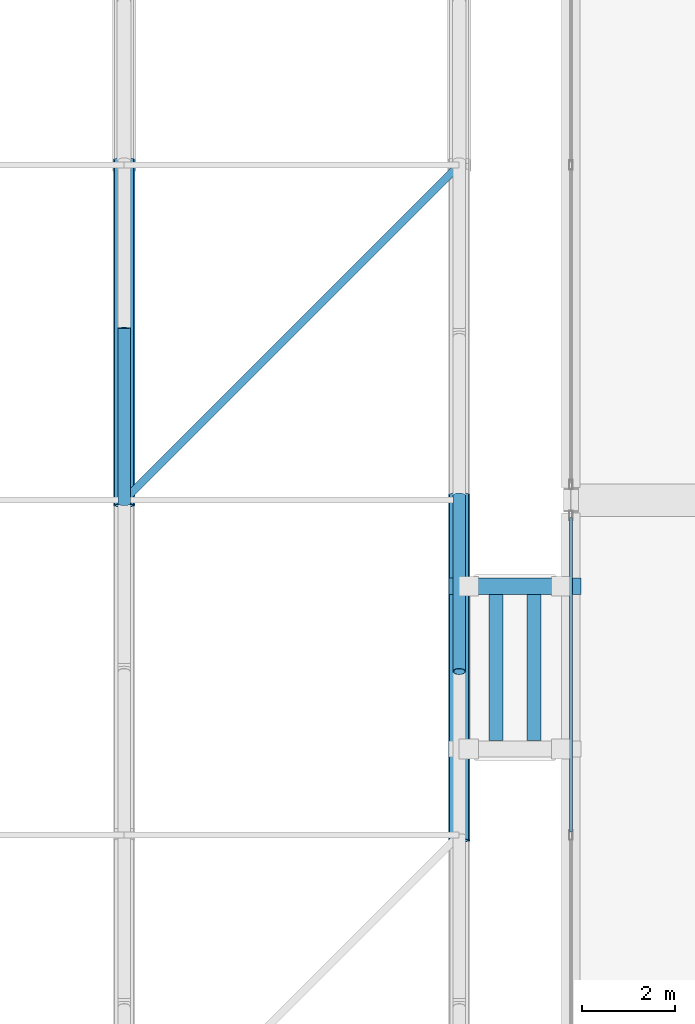
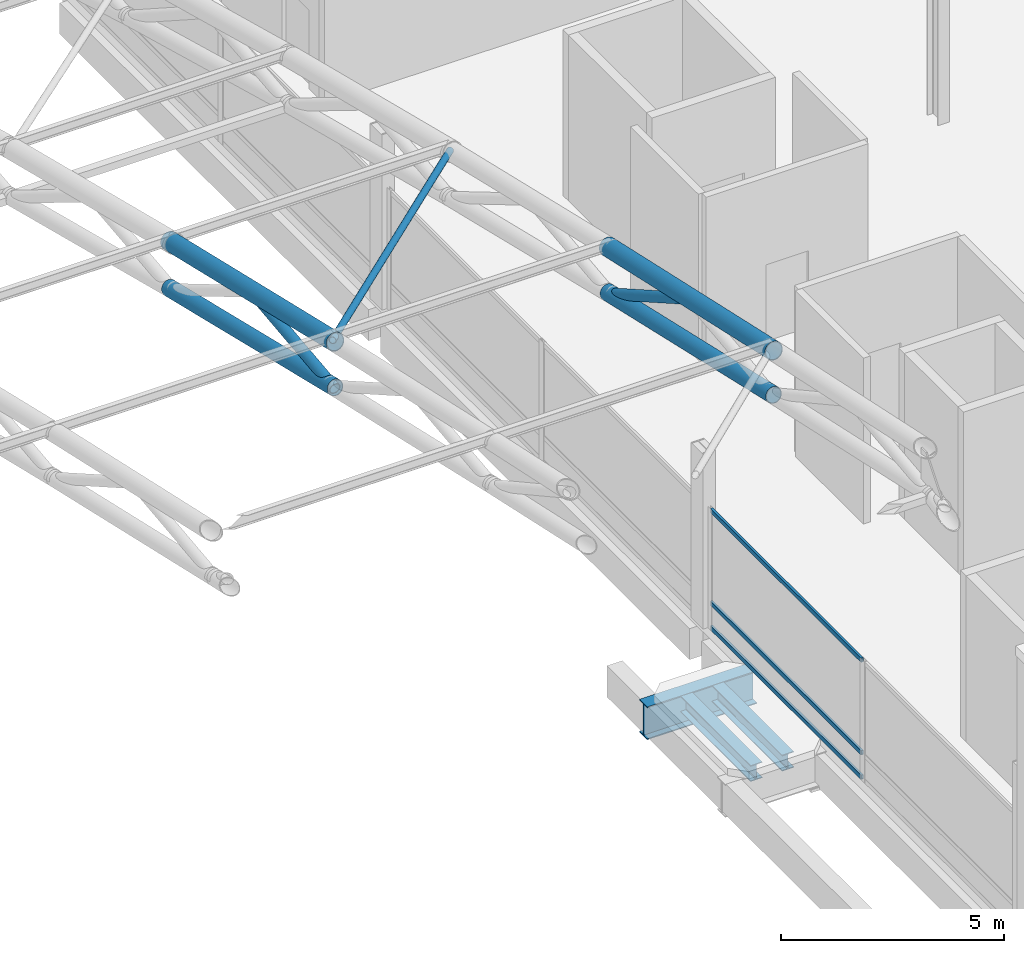
# One storey, part 54 of 193: 10 members, 3 beams, 1 element without a shape of its own.
"""IFC4 building model written with IfcOpenShell, lengths in metres."""

from ifc_helpers import new_model, si_unit, direction, frame, origin, origin_2d, place, context, subcontext, project, spatial, hollow_rectangle, hollow_circle, i_section, extrude, material, material_profile, profile_set, type_object, element, aggregate, save


model = new_model("IFC4")

# Units and contexts
model_context = context("Model", 3, precision=1e-05, world=origin(), true_north=direction((0.0, 1.0)))
body_context = subcontext(model_context, "Body", "Model", "MODEL_VIEW")
ifc_project = project(units=[si_unit("LENGTHUNIT", "METRE"), si_unit("AREAUNIT", "SQUARE_METRE"), si_unit("VOLUMEUNIT", "CUBIC_METRE"), si_unit("PLANEANGLEUNIT", "RADIAN"), si_unit("MASSUNIT", "GRAM", prefix="KILO")], contexts=[model_context])

# Site, building, storey
site_placement = place(None, origin())
site = spatial("IfcSite", under=ifc_project, at=site_placement, CompositionType="ELEMENT")
building_placement = place(site_placement, origin())
building = spatial("IfcBuilding", under=site, at=building_placement, Name="Cendralis Lancet Convention Centre", CompositionType="ELEMENT")
storey_placement = place(building_placement, frame((0.0, 0.0, 10.199951171875)))
storey = spatial("IfcBuildingStorey", under=building, at=storey_placement, Name="L02", CompositionType="ELEMENT", Elevation=10.199951171875)

# Curtain wall, members
ifc_material_1 = material(Name="Anodised bronze architectural aluminium", Category="aluminium")
curtain_wall_type = type_object("IfcCurtainWallType", Name="ARC-CW-BL01", PredefinedType="USERDEFINED", material=ifc_material_1)
curtain_wall_placement = place(storey_placement, origin())
curtain_wall = element("IfcCurtainWall", 1, at=curtain_wall_placement, inside=storey, type_object=curtain_wall_type, Name="L02 Curtain Wall CW-BL1 #157", ObjectType="CURTAIN WALL", PredefinedType="USERDEFINED")
ifc_material_profile_1 = material_profile(ifc_material_1, hollow_rectangle(XDim=0.06005859375, YDim=0.1201171875, WallThickness=0.00390625, at=origin_2d()), Name="AL-TRAN 60x120x4.0")
ifc_profile_set_1 = profile_set([ifc_material_profile_1], Name="Anodised bronze architectural aluminium")
member_type_1 = type_object("IfcMemberType", Name="ARC-CW-TR01", PredefinedType="USERDEFINED", material=ifc_profile_set_1)
member_1_placement = place(storey_placement, frame((124.800048828125, 100.8701171875, 0.06005859375), z_axis=(0.0, 1.0, 0.0), x_axis=(-1.0, 0.0, 0.0)))
member_1 = element("IfcMember", 2, at=member_1_placement, type_object=member_type_1, Name="Transom CW2-CW-BL1-L02-157-T1BOT", ObjectType="TRANSOM", PredefinedType="USERDEFINED", context=body_context, shape_type="SweptSolid", body=[
    extrude(hollow_rectangle(XDim=0.06005859375, YDim=0.1201171875, WallThickness=0.00390625, at=origin_2d()), origin(), (0.0, 0.0, 1.0), 6.759765625),
])
member_2_placement = place(storey_placement, frame((124.800048828125, 100.8701171875, 0.7314453125), z_axis=(0.0, 1.0, 0.0), x_axis=(-1.0, 0.0, 0.0)))
member_2 = element("IfcMember", 3, at=member_2_placement, type_object=member_type_1, Name="Transom CW2-CW-BL1-L02-157-T1MID", ObjectType="TRANSOM", PredefinedType="USERDEFINED", context=body_context, shape_type="SweptSolid", body=[
    extrude(hollow_rectangle(XDim=0.06005859375, YDim=0.1201171875, WallThickness=0.00390625, at=origin_2d()), origin(), (0.0, 0.0, 1.0), 6.759765625),
])
member_3_placement = place(storey_placement, frame((124.800048828125, 100.8701171875, 3.26513671875), z_axis=(0.0, 1.0, 0.0), x_axis=(-1.0, 0.0, 0.0)))
member_3 = element("IfcMember", 4, at=member_3_placement, type_object=member_type_1, Name="Transom CW2-CW-BL1-L02-157-T1TOP", ObjectType="TRANSOM", PredefinedType="USERDEFINED", context=body_context, shape_type="SweptSolid", body=[
    extrude(hollow_rectangle(XDim=0.06005859375, YDim=0.1201171875, WallThickness=0.00390625, at=origin_2d()), origin(), (0.0, 0.0, 1.0), 6.759765625),
])
aggregate(curtain_wall, [member_1, member_2, member_3])

# Beams
ifc_material_2 = material(Name="Steel S355", Category="steel")
ifc_material_profile_2 = material_profile(ifc_material_2, i_section(OverallWidth=0.35009765625, OverallDepth=0.89990234375, WebThickness=0.01611328125, FlangeThickness=0.028076171875, at=origin_2d()), Name="PG 900x350")
ifc_profile_set_2 = profile_set([ifc_material_profile_2], Name="Steel S355")
beam_type_1 = type_object("IfcBeamType", Name="STR-BM-SG05", PredefinedType="BEAM", material=ifc_profile_set_2)
beam_placement = place(storey_placement, frame((122.179931640625, 106.14990234375, -0.64990234375), z_axis=(1.0, 0.0, 0.0), x_axis=(0.0, 1.0, 0.0)))
element("IfcBeam", 5, at=beam_placement, inside=storey, type_object=beam_type_1, Name="L02 Beam SG05 #1881", PredefinedType="BEAM", context=body_context, shape_type="SweptSolid", body=[
    extrude(i_section(OverallWidth=0.35009765625, OverallDepth=0.89990234375, WebThickness=0.01611328125, FlangeThickness=0.028076171875, at=origin_2d()), origin(), (0.0, 0.0, 1.0), 2.840087890625),
])
ifc_material_profile_3 = material_profile(ifc_material_2, i_section(OverallWidth=0.300048828125, OverallDepth=0.43994140625, WebThickness=0.011474609375, FlangeThickness=0.02099609375, FilletRadius=0.027099609375, at=origin_2d()), Name="HEA 450")
ifc_profile_set_3 = profile_set([ifc_material_profile_3], Name="Steel S355")
beam_type_2 = type_object("IfcBeamType", Name="STR-BM-SG13", PredefinedType="BEAM", material=ifc_profile_set_3)
for number, where, z_axis, x_axis, name in (
    (6, (123.19189453125, 102.830078125, -0.419921875), (0.0, 1.0, 0.0), (-1.0, 0.0, 0.0), "L02 Beam SG13 #1882"),
    (7, (124.008056640625, 102.830078125, -0.419921875), (0.0, 1.0, 0.0), (-1.0, 0.0, 0.0), "L02 Beam SG13 #1883"),
):
    element("IfcBeam", number, at=place(storey_placement, frame(where, z_axis=z_axis, x_axis=x_axis)), inside=storey, type_object=beam_type_2, Name=name, PredefinedType="BEAM", context=body_context, shape_type="SweptSolid", body=[
        extrude(i_section(OverallWidth=0.300048828125, OverallDepth=0.43994140625, WebThickness=0.011474609375, FlangeThickness=0.02099609375, FilletRadius=0.027099609375, at=origin_2d()), origin(), (0.0, 0.0, 1.0), 3.139892578125),
    ])

# Members
ifc_material_profile_4 = material_profile(ifc_material_2, hollow_circle(Radius=0.084228515625, WallThickness=0.008056640625, at=origin_2d()), Name="CHS 168.3x8.0")
ifc_profile_set_4 = profile_set([ifc_material_profile_4], Name="Steel S355")
member_type_2 = type_object("IfcMemberType", Name="STR-BR-RB01", PredefinedType="BRACE", material=ifc_profile_set_4)
member_4_placement = place(storey_placement, frame((115.199951171875, 108.0, 11.056884765625), z_axis=(0.697591582707, 0.697591582707, -0.163499135997), x_axis=(-0.707106781187, 0.707106781187, 0.0)))
element("IfcMember", 8, at=member_4_placement, inside=storey, type_object=member_type_2, Name="Roof Diaphragm Brace RB01 V1-13-08A", PredefinedType="BRACE", context=body_context, shape_type="SweptSolid", body=[
    extrude(hollow_circle(Radius=0.084228515625, WallThickness=0.008056640625, at=origin_2d()), origin(), (0.0, 0.0, 1.0), 10.321044921875),
])
ifc_material_profile_5 = material_profile(ifc_material_2, hollow_circle(Radius=0.203125, WallThickness=0.01611328125, at=origin_2d()), Name="CHS 406.4x16.0")
ifc_profile_set_5 = profile_set([ifc_material_profile_5], Name="Steel S355")
member_type_3 = type_object("IfcMemberType", Name="STR-TR-BC01", PredefinedType="CHORD", material=ifc_profile_set_5)
member_5_placement = place(storey_placement, frame((122.39990234375, 100.68310546875, 11.4736328125), z_axis=(0.0, 0.975002780506, -0.222192659658), x_axis=(-1.0, 0.0, 0.0)))
element("IfcMember", 9, at=member_5_placement, inside=storey, type_object=member_type_3, Name="ROOF TRUSS AT-V1-15 Bottom Chord 07", PredefinedType="CHORD", context=body_context, shape_type="SweptSolid", body=[
    extrude(hollow_circle(Radius=0.203125, WallThickness=0.01611328125, at=origin_2d()), origin(), (0.0, 0.0, 1.0), 7.62451171875),
])
ifc_material_profile_6 = material_profile(ifc_material_2, hollow_circle(Radius=0.203125, WallThickness=0.01611328125, at=origin_2d()), Name="CHS 406.4x16.0")
ifc_profile_set_6 = profile_set([ifc_material_profile_6], Name="Steel S355")
member_type_4 = type_object("IfcMemberType", Name="STR-TR-BC01-INT", PredefinedType="CHORD", material=ifc_profile_set_6)
member_6_placement = place(storey_placement, frame((115.199951171875, 107.88330078125, 9.834228515625), z_axis=(0.0, 0.97248347478, -0.232971868002), x_axis=(-1.0, 0.0, 0.0)))
element("IfcMember", 10, at=member_6_placement, inside=storey, type_object=member_type_4, Name="ROOF TRUSS AT-V1-14 Bottom Chord 08", PredefinedType="CHORD", context=body_context, shape_type="SweptSolid", body=[
    extrude(hollow_circle(Radius=0.203125, WallThickness=0.01611328125, at=origin_2d()), origin(), (0.0, 0.0, 1.0), 7.643798828125),
])
ifc_material_profile_7 = material_profile(ifc_material_2, hollow_circle(Radius=0.228515625, WallThickness=0.02001953125, at=origin_2d()), Name="CHS 457.0x20.0")
ifc_profile_set_7 = profile_set([ifc_material_profile_7], Name="Steel S355")
member_type_5 = type_object("IfcMemberType", Name="STR-TR-TC01B", PredefinedType="CHORD", material=ifc_profile_set_7)
member_7_placement = place(storey_placement, frame((122.39990234375, 100.682861328125, 12.686279296875), z_axis=(0.0, 0.976091178672, -0.217361475241), x_axis=(-1.0, 0.0, 0.0)))
element("IfcMember", 11, at=member_7_placement, inside=storey, type_object=member_type_5, Name="ROOF TRUSS AT-V1-15 Top Chord 07", PredefinedType="CHORD", context=body_context, shape_type="SweptSolid", body=[
    extrude(hollow_circle(Radius=0.228515625, WallThickness=0.02001953125, at=origin_2d()), origin(), (0.0, 0.0, 1.0), 7.616455078125),
])
ifc_material_profile_8 = material_profile(ifc_material_2, hollow_circle(Radius=0.228515625, WallThickness=0.02001953125, at=origin_2d()), Name="CHS 457.0x20.0")
ifc_profile_set_8 = profile_set([ifc_material_profile_8], Name="Steel S355")
member_type_6 = type_object("IfcMemberType", Name="STR-TR-TC01B-INT", PredefinedType="CHORD", material=ifc_profile_set_8)
member_8_placement = place(storey_placement, frame((115.199951171875, 107.88330078125, 11.084228515625), z_axis=(0.0, 0.973618086595, -0.22818374494), x_axis=(-1.0, 0.0, 0.0)))
element("IfcMember", 12, at=member_8_placement, inside=storey, type_object=member_type_6, Name="ROOF TRUSS AT-V1-14 Top Chord 08", PredefinedType="CHORD", context=body_context, shape_type="SweptSolid", body=[
    extrude(hollow_circle(Radius=0.228515625, WallThickness=0.02001953125, at=origin_2d()), origin(), (0.0, 0.0, 1.0), 7.635009765625),
])
ifc_material_profile_9 = material_profile(ifc_material_2, hollow_circle(Radius=0.136474609375, WallThickness=0.012451171875, at=origin_2d()), Name="CHS 273.0x12.5")
ifc_profile_set_9 = profile_set([ifc_material_profile_9], Name="Steel S355")
member_type_7 = type_object("IfcMemberType", Name="STR-TR-WD01B", PredefinedType="BRACE", material=ifc_profile_set_9)
member_9_placement = place(storey_placement, frame((122.39990234375, 104.31298828125, 11.907958984375), z_axis=(0.0, 0.86877872096, -0.495200498795), x_axis=(-1.0, 0.0, 0.0)))
element("IfcMember", 13, at=member_9_placement, inside=storey, type_object=member_type_7, Name="ROOF TRUSS AT-V1-15 Warren Web 07-1", PredefinedType="BRACE", context=body_context, shape_type="SweptSolid", body=[
    extrude(hollow_circle(Radius=0.136474609375, WallThickness=0.012451171875, at=origin_2d()), origin(), (0.0, 0.0, 1.0), 4.343994140625),
])
ifc_material_profile_10 = material_profile(ifc_material_2, hollow_circle(Radius=0.136474609375, WallThickness=0.012451171875, at=origin_2d()), Name="CHS 273.0x12.5")
ifc_profile_set_10 = profile_set([ifc_material_profile_10], Name="Steel S355")
member_type_8 = type_object("IfcMemberType", Name="STR-TR-WD01B-INT", PredefinedType="BRACE", material=ifc_profile_set_10)
member_10_placement = place(storey_placement, frame((115.199951171875, 107.900634765625, 9.795166015625), z_axis=(0.0, 0.993677994269, 0.112267732257), x_axis=(-1.0, 0.0, 0.0)))
element("IfcMember", 14, at=member_10_placement, inside=storey, type_object=member_type_8, Name="ROOF TRUSS AT-V1-14 Warren Web 08-0", PredefinedType="BRACE", context=body_context, shape_type="SweptSolid", body=[
    extrude(hollow_circle(Radius=0.136474609375, WallThickness=0.012451171875, at=origin_2d()), origin(), (0.0, 0.0, 1.0), 3.822998046875),
])

save(model, "model.ifc")
